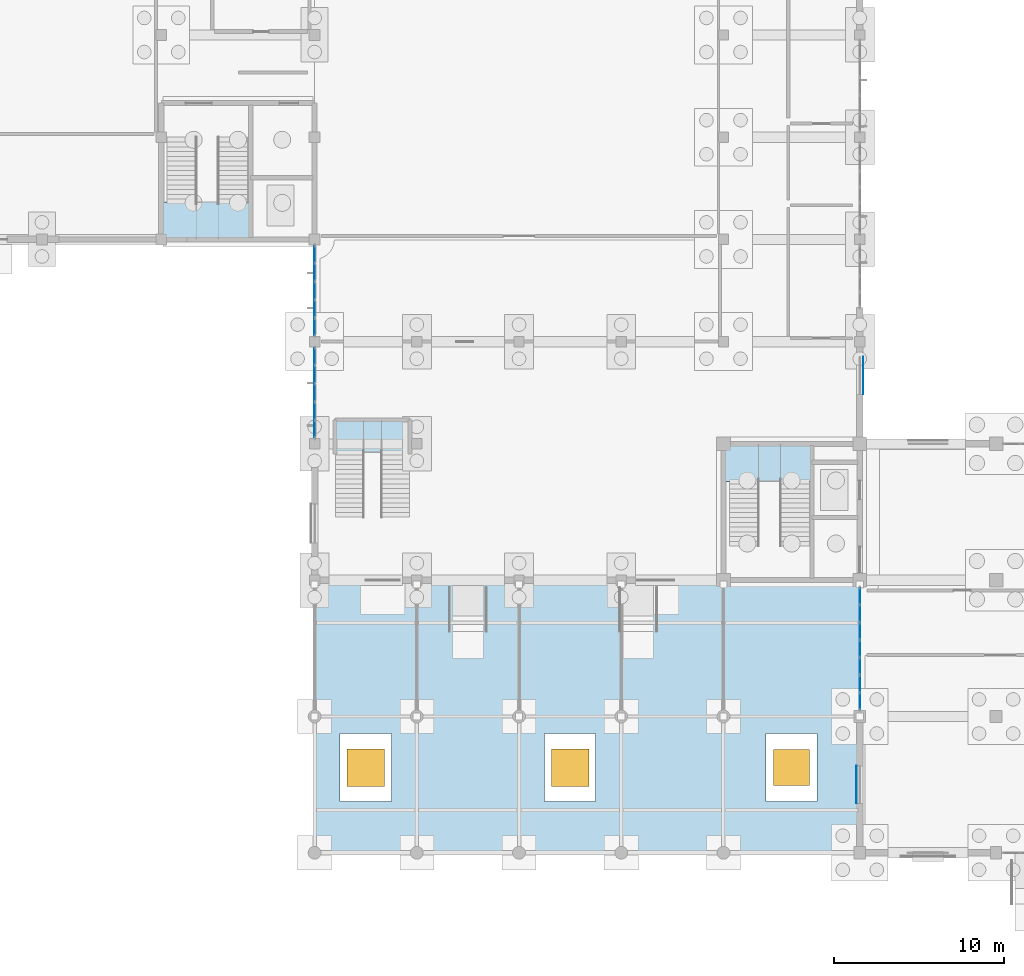
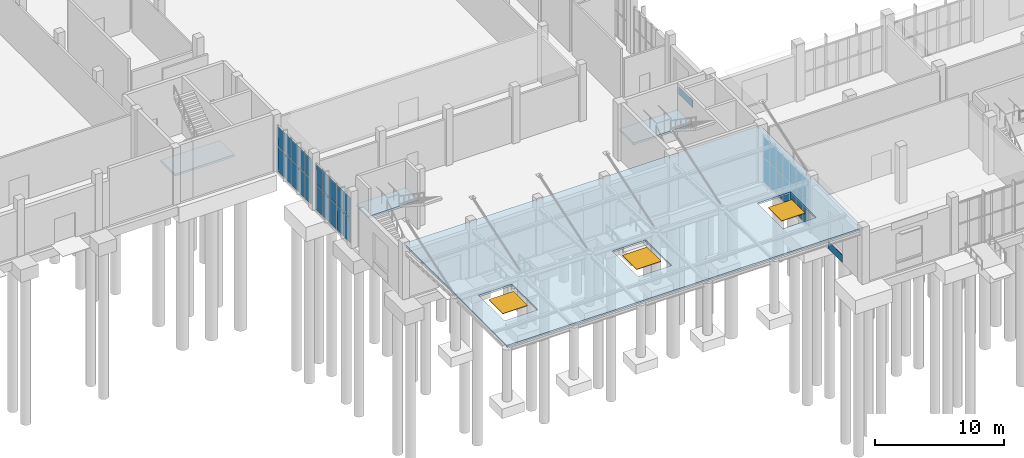
# One storey, part 29 of 69: 36 plates, 4 slabs, 3 windows, 3 openings, 6 elements without a shape of their own.
"""IFC4 building model written with IfcOpenShell, lengths in metres."""

from ifc_helpers import new_model, si_unit, direction, frame, origin, origin_2d, place, context, subcontext, project, spatial, polyline, rectangle, outline, extrude, material, layer, layer_set, type_object, element, fill, aggregate, save


model = new_model("IFC4")

# Units and contexts
model_context = context("Model", 3, precision=1e-05, world=origin(), true_north=direction((0.0, 1.0)))
body_context = subcontext(model_context, "Body", "Model", "MODEL_VIEW")
ifc_project = project(units=[si_unit("LENGTHUNIT", "METRE"), si_unit("AREAUNIT", "SQUARE_METRE"), si_unit("VOLUMEUNIT", "CUBIC_METRE"), si_unit("PLANEANGLEUNIT", "RADIAN"), si_unit("MASSUNIT", "GRAM", prefix="KILO")], contexts=[model_context])

# Site, building, storey
site_placement = place(None, origin())
site = spatial("IfcSite", under=ifc_project, at=site_placement, CompositionType="ELEMENT")
building_placement = place(site_placement, origin())
building = spatial("IfcBuilding", under=site, at=building_placement, Name="Solvane Community Centre", CompositionType="ELEMENT")
storey_placement = place(building_placement, origin())
storey = spatial("IfcBuildingStorey", under=building, at=storey_placement, Name="L00", CompositionType="ELEMENT", Elevation=0.0)

# Slab, openings, windows
ifc_material_1 = material(Name="Concrete C35/45", Category="concrete")
ifc_layer_1 = layer(ifc_material_1, 0.179931640625)
ifc_layer_set_1 = layer_set([ifc_layer_1], Name="Concrete C35/45")
slab_type_1 = type_object("IfcSlabType", Name="Boulevard Canopy Deck Slab 180mm", PredefinedType="ROOF", material=ifc_layer_set_1)
slab_1_placement = place(storey_placement, frame((0.0, 0.0, 4.919921875)))
slab_1 = element("IfcSlab", 1, at=slab_1_placement, inside=storey, type_object=slab_type_1, Name="Boulevard Entrance Canopy Roof Deck", PredefinedType="ROOF", context=body_context, shape_type="SweptSolid", body=[
    extrude(outline(polyline([(36.0, 6.0), (68.0, 6.0), (68.0, 22.0), (36.0, 22.0), (36.0, 6.0)]), holes=[polyline([(37.5, 9.0), (40.5, 9.0), (40.5, 13.0), (37.5, 13.0), (37.5, 9.0)]), polyline([(49.5, 9.0), (52.5, 9.0), (52.5, 13.0), (49.5, 13.0), (49.5, 9.0)]), polyline([(62.5, 9.0), (65.5, 9.0), (65.5, 13.0), (62.5, 13.0), (62.5, 9.0)])]), origin(), (0.0, 0.0, 1.0), 0.18017578125),
])
opening_1_placement = place(slab_1_placement, frame((39.0, 11.0, 0.0)))
opening_1 = element("IfcOpeningElement", 2, at=opening_1_placement, cuts=slab_1, Name="Opening SK01", PredefinedType="OPENING", context=body_context, shape_type="SweptSolid", body=[
    extrude(rectangle(XDim=2.199951171875, YDim=2.199951171875, at=origin_2d()), origin(), (0.0, 0.0, 1.0), 0.18017578125),
])
opening_2_placement = place(slab_1_placement, frame((51.0, 11.0, 0.0)))
opening_2 = element("IfcOpeningElement", 3, at=opening_2_placement, cuts=slab_1, Name="Opening SK01", PredefinedType="OPENING", context=body_context, shape_type="SweptSolid", body=[
    extrude(rectangle(XDim=2.199951171875, YDim=2.199951171875, at=origin_2d()), origin(), (0.0, 0.0, 1.0), 0.18017578125),
])
opening_3_placement = place(slab_1_placement, frame((64.0, 11.0, 0.0)))
opening_3 = element("IfcOpeningElement", 4, at=opening_3_placement, cuts=slab_1, Name="Opening SK03", PredefinedType="OPENING", context=body_context, shape_type="SweptSolid", body=[
    extrude(rectangle(XDim=2.10009765625, YDim=2.10009765625, at=origin_2d()), origin(), (0.0, 0.0, 1.0), 0.18017578125),
])
ifc_material_2 = material(Name="Tempered low-E double glazing", Category="glass")
window_type_1 = type_object("IfcWindowType", Name="Canopy Coffer Skylight 2400x2400", PartitioningType="SINGLE_PANEL", PredefinedType="SKYLIGHT", material=ifc_material_2)
window_1_placement = place(opening_1_placement, frame((0.0, 0.0, 0.130126953125)))
window_1 = element("IfcWindow", 5, at=window_1_placement, inside=storey, type_object=window_type_1, Name="SK-CAN-01", OverallHeight=2.199951171875, OverallWidth=2.199951171875, PartitioningType="SINGLE_PANEL", PredefinedType="SKYLIGHT", context=body_context, shape_type="SweptSolid", body=[
    extrude(rectangle(XDim=2.199951171875, YDim=2.199951171875, at=origin_2d()), origin(), (0.0, 0.0, 1.0), 0.050048828125),
])
fill(opening_1, window_1)
window_2_placement = place(opening_2_placement, frame((0.0, 0.0, 0.130126953125)))
window_2 = element("IfcWindow", 6, at=window_2_placement, inside=storey, type_object=window_type_1, Name="SK-CAN-02", OverallHeight=2.199951171875, OverallWidth=2.199951171875, PartitioningType="SINGLE_PANEL", PredefinedType="SKYLIGHT", context=body_context, shape_type="SweptSolid", body=[
    extrude(rectangle(XDim=2.199951171875, YDim=2.199951171875, at=origin_2d()), origin(), (0.0, 0.0, 1.0), 0.050048828125),
])
fill(opening_2, window_2)
window_type_2 = type_object("IfcWindowType", Name="Canopy West Skylight 2100x2100", PartitioningType="SINGLE_PANEL", PredefinedType="SKYLIGHT", material=ifc_material_2)
window_3_placement = place(opening_3_placement, frame((0.0, 0.0, 0.130126953125)))
window_3 = element("IfcWindow", 7, at=window_3_placement, inside=storey, type_object=window_type_2, Name="SK-CAN-03", OverallHeight=2.10009765625, OverallWidth=2.10009765625, PartitioningType="SINGLE_PANEL", PredefinedType="SKYLIGHT", context=body_context, shape_type="SweptSolid", body=[
    extrude(rectangle(XDim=2.10009765625, YDim=2.10009765625, at=origin_2d()), origin(), (0.0, 0.0, 1.0), 0.050048828125),
])
fill(opening_3, window_3)

# Plates
ifc_material_3 = material(Name="Anodised bronze aluminium AW-6063 T6", Category="aluminium")
ifc_layer_2 = layer(ifc_material_3, 0.02392578125)
ifc_layer_set_2 = layer_set([ifc_layer_2], Name="Anodised bronze aluminium AW-6063 T6")
plate_type_1 = type_object("IfcPlateType", Name="Bronze Spandrel Cassette 24mm", PredefinedType="SHEET", material=ifc_layer_set_2)
for number, where, z_axis, x_axis, name in (
    (8, (67.798095703125, 10.0, 0.06005859375), (0.0, 0.0, 1.0), (0.0, 1.0, 0.0), "Art Deco Spandrel SPC-L00-003"),
    (9, (68.201904296875, 34.0, 0.06005859375), (0.0, 0.0, 1.0), (0.0, -1.0, 0.0), "Art Deco Spandrel SPC-L00-015"),
):
    element("IfcPlate", number, at=place(storey_placement, frame(where, z_axis=z_axis, x_axis=x_axis)), inside=storey, type_object=plate_type_1, Name=name, PredefinedType="SHEET", context=body_context, shape_type="SweptSolid", body=[
        extrude(rectangle(XDim=2.199951171875, YDim=0.02392578125, at=origin_2d()), origin(), (0.0, 0.0, 1.0), 0.719970703125),
    ])

# Curtain wall, plates
ifc_layer_3 = layer(ifc_material_3, 0.18994140625)
ifc_layer_set_3 = layer_set([ifc_layer_3], Name="Anodised bronze aluminium AW-6063 T6")
curtain_wall_type_1 = type_object("IfcCurtainWallType", Name="Boulevard Bronze Vision Curtain Wall [54x44dm]", PredefinedType="NOTDEFINED", material=ifc_layer_set_3)
curtain_wall_1_placement = place(storey_placement, origin())
curtain_wall_1 = element("IfcCurtainWall", 10, at=curtain_wall_1_placement, inside=storey, type_object=curtain_wall_type_1, Name="Curtain Wall CW-L00-360_303-003", PredefinedType="NOTDEFINED")
ifc_layer_4 = layer(ifc_material_2, 0.028076171875)
ifc_layer_set_4 = layer_set([ifc_layer_4], Name="Tempered low-E double glazing")
plate_type_2 = type_object("IfcPlateType", Name="Low-E Vision Glazing Panel 28mm [54x44dm]", PredefinedType="CURTAIN_PANEL", material=ifc_layer_set_4)
plate_1_placement = place(storey_placement, frame((36.0, 30.87109375, 0.06005859375), z_axis=(0.0, 0.0, 1.0), x_axis=(0.0, 1.0, 0.0)))
plate_1 = element("IfcPlate", 11, at=plate_1_placement, type_object=plate_type_2, Name="CW02-54x44 panel 1.1", PredefinedType="CURTAIN_PANEL", context=body_context, shape_type="SweptSolid", body=[
    extrude(rectangle(XDim=0.98193359375, YDim=0.028076171875, at=origin_2d()), origin(), (0.0, 0.0, 1.0), 2.343994140625),
])
plate_2_placement = place(storey_placement, frame((36.0, 30.87109375, 2.464111328125), z_axis=(0.0, 0.0, 1.0), x_axis=(0.0, 1.0, 0.0)))
plate_2 = element("IfcPlate", 12, at=plate_2_placement, type_object=plate_type_2, Name="CW02-54x44 panel 1.2", PredefinedType="CURTAIN_PANEL", context=body_context, shape_type="SweptSolid", body=[
    extrude(rectangle(XDim=0.98193359375, YDim=0.028076171875, at=origin_2d()), origin(), (0.0, 0.0, 1.0), 1.90087890625),
])
plate_3_placement = place(storey_placement, frame((36.0, 31.927978515625, 0.06005859375), z_axis=(0.0, 0.0, 1.0), x_axis=(0.0, 1.0, 0.0)))
plate_3 = element("IfcPlate", 13, at=plate_3_placement, type_object=plate_type_2, Name="CW02-54x44 panel 2.1", PredefinedType="CURTAIN_PANEL", context=body_context, shape_type="SweptSolid", body=[
    extrude(rectangle(XDim=1.011962890625, YDim=0.028076171875, at=origin_2d()), origin(), (0.0, 0.0, 1.0), 2.343994140625),
])
plate_4_placement = place(storey_placement, frame((36.0, 31.927978515625, 2.464111328125), z_axis=(0.0, 0.0, 1.0), x_axis=(0.0, 1.0, 0.0)))
plate_4 = element("IfcPlate", 14, at=plate_4_placement, type_object=plate_type_2, Name="CW02-54x44 panel 2.2", PredefinedType="CURTAIN_PANEL", context=body_context, shape_type="SweptSolid", body=[
    extrude(rectangle(XDim=1.011962890625, YDim=0.028076171875, at=origin_2d()), origin(), (0.0, 0.0, 1.0), 1.90087890625),
])
plate_5_placement = place(storey_placement, frame((36.0, 33.0, 0.06005859375), z_axis=(0.0, 0.0, 1.0), x_axis=(0.0, 1.0, 0.0)))
plate_5 = element("IfcPlate", 15, at=plate_5_placement, type_object=plate_type_2, Name="CW02-54x44 panel 3.1", PredefinedType="CURTAIN_PANEL", context=body_context, shape_type="SweptSolid", body=[
    extrude(rectangle(XDim=1.011962890625, YDim=0.028076171875, at=origin_2d()), origin(), (0.0, 0.0, 1.0), 2.343994140625),
])
plate_6_placement = place(storey_placement, frame((36.0, 33.0, 2.464111328125), z_axis=(0.0, 0.0, 1.0), x_axis=(0.0, 1.0, 0.0)))
plate_6 = element("IfcPlate", 16, at=plate_6_placement, type_object=plate_type_2, Name="CW02-54x44 panel 3.2", PredefinedType="CURTAIN_PANEL", context=body_context, shape_type="SweptSolid", body=[
    extrude(rectangle(XDim=1.011962890625, YDim=0.028076171875, at=origin_2d()), origin(), (0.0, 0.0, 1.0), 1.90087890625),
])
plate_7_placement = place(storey_placement, frame((36.0, 34.072021484375, 0.06005859375), z_axis=(0.0, 0.0, 1.0), x_axis=(0.0, 1.0, 0.0)))
plate_7 = element("IfcPlate", 17, at=plate_7_placement, type_object=plate_type_2, Name="CW02-54x44 panel 4.1", PredefinedType="CURTAIN_PANEL", context=body_context, shape_type="SweptSolid", body=[
    extrude(rectangle(XDim=1.011962890625, YDim=0.028076171875, at=origin_2d()), origin(), (0.0, 0.0, 1.0), 2.343994140625),
])
plate_8_placement = place(storey_placement, frame((36.0, 34.072021484375, 2.464111328125), z_axis=(0.0, 0.0, 1.0), x_axis=(0.0, 1.0, 0.0)))
plate_8 = element("IfcPlate", 18, at=plate_8_placement, type_object=plate_type_2, Name="CW02-54x44 panel 4.2", PredefinedType="CURTAIN_PANEL", context=body_context, shape_type="SweptSolid", body=[
    extrude(rectangle(XDim=1.011962890625, YDim=0.028076171875, at=origin_2d()), origin(), (0.0, 0.0, 1.0), 1.90087890625),
])
plate_9_placement = place(storey_placement, frame((36.0, 35.12890625, 0.06005859375), z_axis=(0.0, 0.0, 1.0), x_axis=(0.0, 1.0, 0.0)))
plate_9 = element("IfcPlate", 19, at=plate_9_placement, type_object=plate_type_2, Name="CW02-54x44 panel 5.1", PredefinedType="CURTAIN_PANEL", context=body_context, shape_type="SweptSolid", body=[
    extrude(rectangle(XDim=0.98193359375, YDim=0.028076171875, at=origin_2d()), origin(), (0.0, 0.0, 1.0), 2.343994140625),
])
plate_10_placement = place(storey_placement, frame((36.0, 35.12890625, 2.464111328125), z_axis=(0.0, 0.0, 1.0), x_axis=(0.0, 1.0, 0.0)))
plate_10 = element("IfcPlate", 20, at=plate_10_placement, type_object=plate_type_2, Name="CW02-54x44 panel 5.2", PredefinedType="CURTAIN_PANEL", context=body_context, shape_type="SweptSolid", body=[
    extrude(rectangle(XDim=0.98193359375, YDim=0.028076171875, at=origin_2d()), origin(), (0.0, 0.0, 1.0), 1.90087890625),
])
aggregate(curtain_wall_1, [plate_1, plate_2, plate_3, plate_4, plate_5, plate_6, plate_7, plate_8, plate_9, plate_10])

curtain_wall_2_placement = place(storey_placement, origin())
curtain_wall_2 = element("IfcCurtainWall", 21, at=curtain_wall_2_placement, inside=storey, type_object=curtain_wall_type_1, Name="Curtain Wall CW-L00-360_363-004", PredefinedType="NOTDEFINED")
plate_11_placement = place(storey_placement, frame((36.0, 36.8701171875, 0.06005859375), z_axis=(0.0, 0.0, 1.0), x_axis=(0.0, 1.0, 0.0)))
plate_11 = element("IfcPlate", 22, at=plate_11_placement, type_object=plate_type_2, Name="CW02-54x44 panel 1.1", PredefinedType="CURTAIN_PANEL", context=body_context, shape_type="SweptSolid", body=[
    extrude(rectangle(XDim=0.97998046875, YDim=0.028076171875, at=origin_2d()), origin(), (0.0, 0.0, 1.0), 2.343994140625),
])
plate_12_placement = place(storey_placement, frame((36.0, 36.8701171875, 2.464111328125), z_axis=(0.0, 0.0, 1.0), x_axis=(0.0, 1.0, 0.0)))
plate_12 = element("IfcPlate", 23, at=plate_12_placement, type_object=plate_type_2, Name="CW02-54x44 panel 1.2", PredefinedType="CURTAIN_PANEL", context=body_context, shape_type="SweptSolid", body=[
    extrude(rectangle(XDim=0.97998046875, YDim=0.028076171875, at=origin_2d()), origin(), (0.0, 0.0, 1.0), 1.90087890625),
])
plate_13_placement = place(storey_placement, frame((36.0, 37.925048828125, 0.06005859375), z_axis=(0.0, 0.0, 1.0), x_axis=(0.0, 1.0, 0.0)))
plate_13 = element("IfcPlate", 24, at=plate_13_placement, type_object=plate_type_2, Name="CW02-54x44 panel 2.1", PredefinedType="CURTAIN_PANEL", context=body_context, shape_type="SweptSolid", body=[
    extrude(rectangle(XDim=1.010009765625, YDim=0.028076171875, at=origin_2d()), origin(), (0.0, 0.0, 1.0), 2.343994140625),
])
plate_14_placement = place(storey_placement, frame((36.0, 37.925048828125, 2.464111328125), z_axis=(0.0, 0.0, 1.0), x_axis=(0.0, 1.0, 0.0)))
plate_14 = element("IfcPlate", 25, at=plate_14_placement, type_object=plate_type_2, Name="CW02-54x44 panel 2.2", PredefinedType="CURTAIN_PANEL", context=body_context, shape_type="SweptSolid", body=[
    extrude(rectangle(XDim=1.010009765625, YDim=0.028076171875, at=origin_2d()), origin(), (0.0, 0.0, 1.0), 1.90087890625),
])
plate_15_placement = place(storey_placement, frame((36.0, 38.9951171875, 0.06005859375), z_axis=(0.0, 0.0, 1.0), x_axis=(0.0, 1.0, 0.0)))
plate_15 = element("IfcPlate", 26, at=plate_15_placement, type_object=plate_type_2, Name="CW02-54x44 panel 3.1", PredefinedType="CURTAIN_PANEL", context=body_context, shape_type="SweptSolid", body=[
    extrude(rectangle(XDim=1.010009765625, YDim=0.028076171875, at=origin_2d()), origin(), (0.0, 0.0, 1.0), 2.343994140625),
])
plate_16_placement = place(storey_placement, frame((36.0, 38.9951171875, 2.464111328125), z_axis=(0.0, 0.0, 1.0), x_axis=(0.0, 1.0, 0.0)))
plate_16 = element("IfcPlate", 27, at=plate_16_placement, type_object=plate_type_2, Name="CW02-54x44 panel 3.2", PredefinedType="CURTAIN_PANEL", context=body_context, shape_type="SweptSolid", body=[
    extrude(rectangle(XDim=1.010009765625, YDim=0.028076171875, at=origin_2d()), origin(), (0.0, 0.0, 1.0), 1.90087890625),
])
plate_17_placement = place(storey_placement, frame((36.0, 40.06494140625, 0.06005859375), z_axis=(0.0, 0.0, 1.0), x_axis=(0.0, 1.0, 0.0)))
plate_17 = element("IfcPlate", 28, at=plate_17_placement, type_object=plate_type_2, Name="CW02-54x44 panel 4.1", PredefinedType="CURTAIN_PANEL", context=body_context, shape_type="SweptSolid", body=[
    extrude(rectangle(XDim=1.010009765625, YDim=0.028076171875, at=origin_2d()), origin(), (0.0, 0.0, 1.0), 2.343994140625),
])
plate_18_placement = place(storey_placement, frame((36.0, 40.06494140625, 2.464111328125), z_axis=(0.0, 0.0, 1.0), x_axis=(0.0, 1.0, 0.0)))
plate_18 = element("IfcPlate", 29, at=plate_18_placement, type_object=plate_type_2, Name="CW02-54x44 panel 4.2", PredefinedType="CURTAIN_PANEL", context=body_context, shape_type="SweptSolid", body=[
    extrude(rectangle(XDim=1.010009765625, YDim=0.028076171875, at=origin_2d()), origin(), (0.0, 0.0, 1.0), 1.90087890625),
])
plate_19_placement = place(storey_placement, frame((36.0, 41.1201171875, 0.06005859375), z_axis=(0.0, 0.0, 1.0), x_axis=(0.0, 1.0, 0.0)))
plate_19 = element("IfcPlate", 30, at=plate_19_placement, type_object=plate_type_2, Name="CW02-54x44 panel 5.1", PredefinedType="CURTAIN_PANEL", context=body_context, shape_type="SweptSolid", body=[
    extrude(rectangle(XDim=0.97998046875, YDim=0.028076171875, at=origin_2d()), origin(), (0.0, 0.0, 1.0), 2.343994140625),
])
plate_20_placement = place(storey_placement, frame((36.0, 41.1201171875, 2.464111328125), z_axis=(0.0, 0.0, 1.0), x_axis=(0.0, 1.0, 0.0)))
plate_20 = element("IfcPlate", 31, at=plate_20_placement, type_object=plate_type_2, Name="CW02-54x44 panel 5.2", PredefinedType="CURTAIN_PANEL", context=body_context, shape_type="SweptSolid", body=[
    extrude(rectangle(XDim=0.97998046875, YDim=0.028076171875, at=origin_2d()), origin(), (0.0, 0.0, 1.0), 1.90087890625),
])
aggregate(curtain_wall_2, [plate_11, plate_12, plate_13, plate_14, plate_15, plate_16, plate_17, plate_18, plate_19, plate_20])

ifc_layer_5 = layer(ifc_material_3, 0.18994140625)
ifc_layer_set_5 = layer_set([ifc_layer_5], Name="Anodised bronze aluminium AW-6063 T6")
curtain_wall_type_2 = type_object("IfcCurtainWallType", Name="Boulevard Bronze Vision Curtain Wall [72x44dm]", PredefinedType="NOTDEFINED", material=ifc_layer_set_5)
curtain_wall_3_placement = place(storey_placement, origin())
curtain_wall_3 = element("IfcCurtainWall", 32, at=curtain_wall_3_placement, inside=storey, type_object=curtain_wall_type_2, Name="Curtain Wall CW-L00-680_144-002", PredefinedType="NOTDEFINED")
ifc_layer_6 = layer(ifc_material_2, 0.028076171875)
ifc_layer_set_6 = layer_set([ifc_layer_6], Name="Tempered low-E double glazing")
plate_type_3 = type_object("IfcPlateType", Name="Low-E Vision Glazing Panel 28mm [72x44dm]", PredefinedType="CURTAIN_PANEL", material=ifc_layer_set_6)
plate_21_placement = place(storey_placement, frame((68.0, 14.895751953125, 0.06005859375), z_axis=(0.0, 0.0, 1.0), x_axis=(0.0, 1.0, 0.0)))
plate_21 = element("IfcPlate", 33, at=plate_21_placement, type_object=plate_type_3, Name="CW02-72x44 panel 1.1", PredefinedType="CURTAIN_PANEL", context=body_context, shape_type="SweptSolid", body=[
    extrude(rectangle(XDim=0.94140625, YDim=0.028076171875, at=origin_2d()), origin(), (0.0, 0.0, 1.0), 2.35498046875),
])
plate_22_placement = place(storey_placement, frame((68.0, 14.895751953125, 2.47509765625), z_axis=(0.0, 0.0, 1.0), x_axis=(0.0, 1.0, 0.0)))
plate_22 = element("IfcPlate", 34, at=plate_22_placement, type_object=plate_type_3, Name="CW02-72x44 panel 1.2", PredefinedType="CURTAIN_PANEL", context=body_context, shape_type="SweptSolid", body=[
    extrude(rectangle(XDim=0.94140625, YDim=0.028076171875, at=origin_2d()), origin(), (0.0, 0.0, 1.0), 1.909912109375),
])
plate_23_placement = place(storey_placement, frame((68.0, 15.912109375, 0.06005859375), z_axis=(0.0, 0.0, 1.0), x_axis=(0.0, 1.0, 0.0)))
plate_23 = element("IfcPlate", 35, at=plate_23_placement, type_object=plate_type_3, Name="CW02-72x44 panel 2.1", PredefinedType="CURTAIN_PANEL", context=body_context, shape_type="SweptSolid", body=[
    extrude(rectangle(XDim=0.971435546875, YDim=0.028076171875, at=origin_2d()), origin(), (0.0, 0.0, 1.0), 2.35498046875),
])
plate_24_placement = place(storey_placement, frame((68.0, 15.912109375, 2.47509765625), z_axis=(0.0, 0.0, 1.0), x_axis=(0.0, 1.0, 0.0)))
plate_24 = element("IfcPlate", 36, at=plate_24_placement, type_object=plate_type_3, Name="CW02-72x44 panel 2.2", PredefinedType="CURTAIN_PANEL", context=body_context, shape_type="SweptSolid", body=[
    extrude(rectangle(XDim=0.971435546875, YDim=0.028076171875, at=origin_2d()), origin(), (0.0, 0.0, 1.0), 1.909912109375),
])
plate_25_placement = place(storey_placement, frame((68.0, 16.943603515625, 0.06005859375), z_axis=(0.0, 0.0, 1.0), x_axis=(0.0, 1.0, 0.0)))
plate_25 = element("IfcPlate", 37, at=plate_25_placement, type_object=plate_type_3, Name="CW02-72x44 panel 3.1", PredefinedType="CURTAIN_PANEL", context=body_context, shape_type="SweptSolid", body=[
    extrude(rectangle(XDim=0.971435546875, YDim=0.028076171875, at=origin_2d()), origin(), (0.0, 0.0, 1.0), 2.35498046875),
])
plate_26_placement = place(storey_placement, frame((68.0, 16.943603515625, 2.47509765625), z_axis=(0.0, 0.0, 1.0), x_axis=(0.0, 1.0, 0.0)))
plate_26 = element("IfcPlate", 38, at=plate_26_placement, type_object=plate_type_3, Name="CW02-72x44 panel 3.2", PredefinedType="CURTAIN_PANEL", context=body_context, shape_type="SweptSolid", body=[
    extrude(rectangle(XDim=0.971435546875, YDim=0.028076171875, at=origin_2d()), origin(), (0.0, 0.0, 1.0), 1.909912109375),
])
plate_27_placement = place(storey_placement, frame((68.0, 17.97509765625, 0.06005859375), z_axis=(0.0, 0.0, 1.0), x_axis=(0.0, 1.0, 0.0)))
plate_27 = element("IfcPlate", 39, at=plate_27_placement, type_object=plate_type_3, Name="CW02-72x44 panel 4.1", PredefinedType="CURTAIN_PANEL", context=body_context, shape_type="SweptSolid", body=[
    extrude(rectangle(XDim=0.971435546875, YDim=0.028076171875, at=origin_2d()), origin(), (0.0, 0.0, 1.0), 2.35498046875),
])
plate_28_placement = place(storey_placement, frame((68.0, 17.97509765625, 2.47509765625), z_axis=(0.0, 0.0, 1.0), x_axis=(0.0, 1.0, 0.0)))
plate_28 = element("IfcPlate", 40, at=plate_28_placement, type_object=plate_type_3, Name="CW02-72x44 panel 4.2", PredefinedType="CURTAIN_PANEL", context=body_context, shape_type="SweptSolid", body=[
    extrude(rectangle(XDim=0.971435546875, YDim=0.028076171875, at=origin_2d()), origin(), (0.0, 0.0, 1.0), 1.909912109375),
])
plate_29_placement = place(storey_placement, frame((68.0, 19.00634765625, 0.06005859375), z_axis=(0.0, 0.0, 1.0), x_axis=(0.0, 1.0, 0.0)))
plate_29 = element("IfcPlate", 41, at=plate_29_placement, type_object=plate_type_3, Name="CW02-72x44 panel 5.1", PredefinedType="CURTAIN_PANEL", context=body_context, shape_type="SweptSolid", body=[
    extrude(rectangle(XDim=0.971435546875, YDim=0.028076171875, at=origin_2d()), origin(), (0.0, 0.0, 1.0), 2.35498046875),
])
plate_30_placement = place(storey_placement, frame((68.0, 19.00634765625, 2.47509765625), z_axis=(0.0, 0.0, 1.0), x_axis=(0.0, 1.0, 0.0)))
plate_30 = element("IfcPlate", 42, at=plate_30_placement, type_object=plate_type_3, Name="CW02-72x44 panel 5.2", PredefinedType="CURTAIN_PANEL", context=body_context, shape_type="SweptSolid", body=[
    extrude(rectangle(XDim=0.971435546875, YDim=0.028076171875, at=origin_2d()), origin(), (0.0, 0.0, 1.0), 1.909912109375),
])
plate_31_placement = place(storey_placement, frame((68.0, 20.037841796875, 0.06005859375), z_axis=(0.0, 0.0, 1.0), x_axis=(0.0, 1.0, 0.0)))
plate_31 = element("IfcPlate", 43, at=plate_31_placement, type_object=plate_type_3, Name="CW02-72x44 panel 6.1", PredefinedType="CURTAIN_PANEL", context=body_context, shape_type="SweptSolid", body=[
    extrude(rectangle(XDim=0.971435546875, YDim=0.028076171875, at=origin_2d()), origin(), (0.0, 0.0, 1.0), 2.35498046875),
])
plate_32_placement = place(storey_placement, frame((68.0, 20.037841796875, 2.47509765625), z_axis=(0.0, 0.0, 1.0), x_axis=(0.0, 1.0, 0.0)))
plate_32 = element("IfcPlate", 44, at=plate_32_placement, type_object=plate_type_3, Name="CW02-72x44 panel 6.2", PredefinedType="CURTAIN_PANEL", context=body_context, shape_type="SweptSolid", body=[
    extrude(rectangle(XDim=0.971435546875, YDim=0.028076171875, at=origin_2d()), origin(), (0.0, 0.0, 1.0), 1.909912109375),
])
plate_33_placement = place(storey_placement, frame((68.0, 21.05419921875, 0.06005859375), z_axis=(0.0, 0.0, 1.0), x_axis=(0.0, 1.0, 0.0)))
plate_33 = element("IfcPlate", 45, at=plate_33_placement, type_object=plate_type_3, Name="CW02-72x44 panel 7.1", PredefinedType="CURTAIN_PANEL", context=body_context, shape_type="SweptSolid", body=[
    extrude(rectangle(XDim=0.94140625, YDim=0.028076171875, at=origin_2d()), origin(), (0.0, 0.0, 1.0), 2.35498046875),
])
plate_34_placement = place(storey_placement, frame((68.0, 21.05419921875, 2.47509765625), z_axis=(0.0, 0.0, 1.0), x_axis=(0.0, 1.0, 0.0)))
plate_34 = element("IfcPlate", 46, at=plate_34_placement, type_object=plate_type_3, Name="CW02-72x44 panel 7.2", PredefinedType="CURTAIN_PANEL", context=body_context, shape_type="SweptSolid", body=[
    extrude(rectangle(XDim=0.94140625, YDim=0.028076171875, at=origin_2d()), origin(), (0.0, 0.0, 1.0), 1.909912109375),
])
aggregate(curtain_wall_3, [plate_21, plate_22, plate_23, plate_24, plate_25, plate_26, plate_27, plate_28, plate_29, plate_30, plate_31, plate_32, plate_33, plate_34])

# Stair, slab
stair_type_1 = type_object("IfcStairType", Name="RC Two-Flight Escape Stair 1720mm", PredefinedType="TWO_STRAIGHT_RUN_STAIR", material=ifc_material_1)
stair_1_placement = place(storey_placement, origin())
stair_1 = element("IfcStair", 47, at=stair_1_placement, inside=storey, type_object=stair_type_1, Name="Stair STR-C1-L00", PredefinedType="TWO_STRAIGHT_RUN_STAIR")
ifc_layer_7 = layer(ifc_material_1, 0.199951171875)
ifc_layer_set_7 = layer_set([ifc_layer_7], Name="Concrete C35/45")
slab_type_2 = type_object("IfcSlabType", Name="RC Stair Half-Landing Slab 200mm", PredefinedType="LANDING", material=ifc_layer_set_7)
slab_2_placement = place(storey_placement, frame((0.0, 0.0, 2.5)))
slab_2 = element("IfcSlab", 48, at=slab_2_placement, type_object=slab_type_2, Name="ST-01 landing 1", PredefinedType="LANDING", context=body_context, shape_type="SweptSolid", body=[
    extrude(outline(polyline([(59.9599609375, 27.800048828125), (65.239990234375, 27.800048828125), (65.239990234375, 30.0400390625), (59.9599609375, 30.0400390625), (59.9599609375, 27.800048828125)])), origin(), (0.0, 0.0, 1.0), 0.199951171875),
])
aggregate(stair_1, [slab_2])

stair_2_placement = place(storey_placement, origin())
stair_2 = element("IfcStair", 49, at=stair_2_placement, inside=storey, type_object=stair_type_1, Name="Stair STR-C5-L00", PredefinedType="TWO_STRAIGHT_RUN_STAIR")
slab_3_placement = place(storey_placement, frame((0.0, 0.0, 2.5)))
slab_3 = element("IfcSlab", 50, at=slab_3_placement, type_object=slab_type_2, Name="ST-03 landing 1", PredefinedType="LANDING", context=body_context, shape_type="SweptSolid", body=[
    extrude(outline(polyline([(26.9599609375, 41.9599609375), (32.2900390625, 41.9599609375), (32.2900390625, 44.199951171875), (26.9599609375, 44.199951171875), (26.9599609375, 41.9599609375)])), origin(), (0.0, 0.0, 1.0), 0.199951171875),
])
aggregate(stair_2, [slab_3])

stair_type_2 = type_object("IfcStairType", Name="RC Two-Flight Escape Stair 1640mm", PredefinedType="TWO_STRAIGHT_RUN_STAIR", material=ifc_material_1)
stair_3_placement = place(storey_placement, origin())
stair_3 = element("IfcStair", 51, at=stair_3_placement, inside=storey, type_object=stair_type_2, Name="Stair STR-FOY-L00", PredefinedType="TWO_STRAIGHT_RUN_STAIR")
slab_4_placement = place(storey_placement, frame((0.0, 0.0, 2.5)))
slab_4 = element("IfcSlab", 52, at=slab_4_placement, type_object=slab_type_2, Name="ST-08 landing 1", PredefinedType="LANDING", context=body_context, shape_type="SweptSolid", body=[
    extrude(outline(polyline([(37.159912109375, 29.5), (41.639892578125, 29.5), (41.639892578125, 31.43994140625), (37.159912109375, 31.43994140625), (37.159912109375, 29.5)])), origin(), (0.0, 0.0, 1.0), 0.199951171875),
])
aggregate(stair_3, [slab_4])

save(model, "model.ifc")
